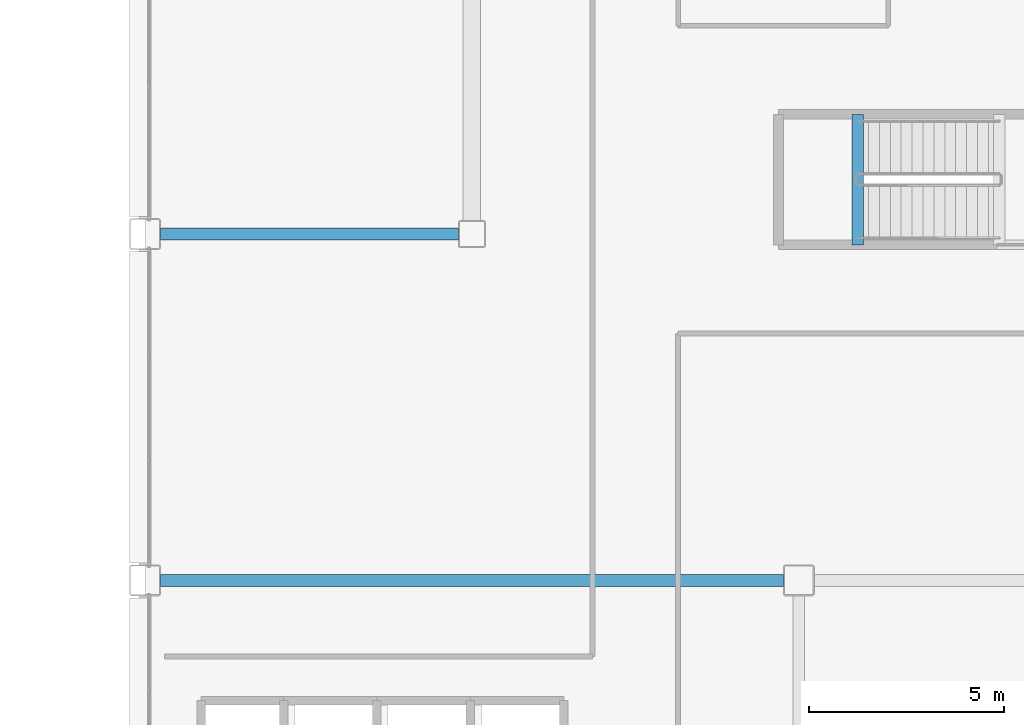
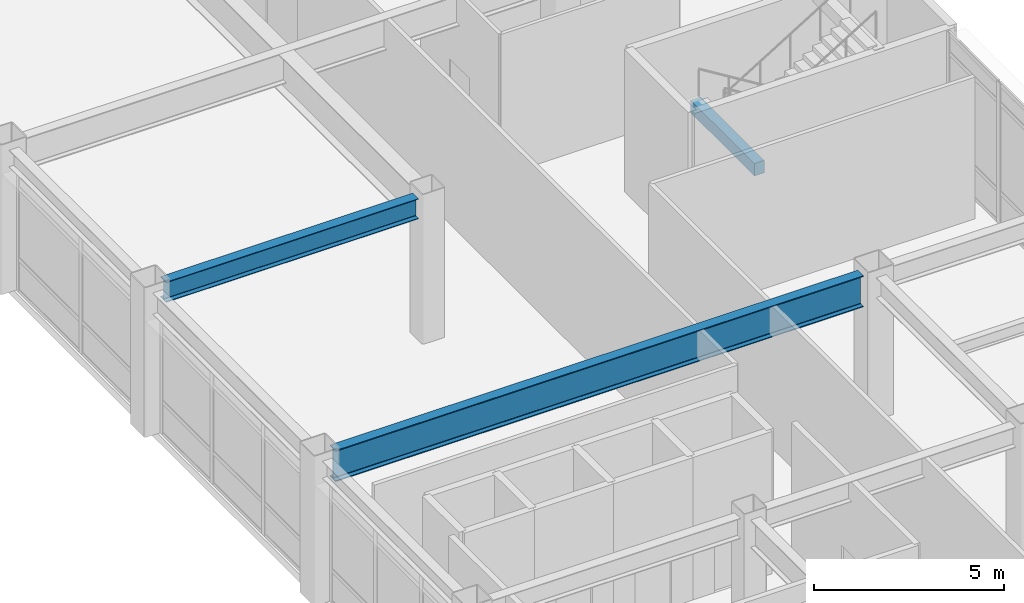
# One storey, part 100 of 154: 3 beams.
"""IFC4 building model written with IfcOpenShell, lengths in metres."""

import ifcopenshell
import ifcopenshell.guid

model = None  # the IFC model being written
_history = None  # IfcOwnerHistory: only IFC2X3 demands one
_inside = {}  # id of a spatial element -> (the spatial element, [elements in it])
_under = {}  # id of a project, library or spatial element -> (it, [spatial elements below it])
_declared = {}  # id of a project -> (the project, [libraries it declares])
_typed = {}  # id of a type object -> (the type object, [elements of that type])
_made_of = {}  # id of a material, layer set ... -> (it, [elements and type objects made of it])


def new_model(schema):
    """Start an empty IFC model of exactly this schema.

    Asked for "IFC4X3", IfcOpenShell would pick the latest addendum, in which some entities
    have other attributes; the version numbers below select the first issue.
    IFC2X3 requires an IfcOwnerHistory on every rooted entity: one is made here for all.
    """
    global model, _history
    if schema == "IFC4X3":
        model = ifcopenshell.file(schema_version=(4, 3, 0, 0))
    else:
        model = ifcopenshell.file(schema=schema)
    _inside.clear()
    _under.clear()
    _declared.clear()
    _typed.clear()
    _made_of.clear()
    _history = None
    if model.schema == "IFC2X3":
        org = make("IfcOrganization", Name="unknown")
        user = make(
            "IfcPersonAndOrganization",
            ThePerson=make("IfcPerson", FamilyName="unknown"),
            TheOrganization=org,
        )
        app = make(
            "IfcApplication",
            ApplicationDeveloper=org,
            Version="unknown",
            ApplicationFullName="unknown",
            ApplicationIdentifier="unknown",
        )
        _history = make(
            "IfcOwnerHistory",
            OwningUser=user,
            OwningApplication=app,
            ChangeAction="ADDED",
            CreationDate=0,
        )
    return model


def make(cls, **values):
    """One entity of the class cls with the attributes given. An attribute that is None is left unset."""
    return model.create_entity(
        cls, **{name: value for name, value in values.items() if value is not None}
    )


def rooted(cls, **values):
    """An entity with a GlobalId (a new one), such as an element, a storey or a relation."""
    return make(cls, GlobalId=ifcopenshell.guid.new(), OwnerHistory=_history, **values)


def si_unit(unit_type, name, prefix=None):
    """IfcSIUnit, for example si_unit("LENGTHUNIT", "METRE", prefix="MILLI")."""
    return make("IfcSIUnit", UnitType=unit_type, Prefix=prefix, Name=name)


def assignment(units):
    """IfcUnitAssignment: the units of a project."""
    return None if units is None else make("IfcUnitAssignment", Units=units)


def point(xyz):
    """IfcCartesianPoint."""
    return None if xyz is None else make("IfcCartesianPoint", Coordinates=xyz)


def direction(xyz):
    """IfcDirection."""
    return None if xyz is None else make("IfcDirection", DirectionRatios=xyz)


def frame(location, z_axis=None, x_axis=None):
    """IfcAxis2Placement3D, a coordinate frame: its origin and axes. An axis left out is left unset."""
    return make(
        "IfcAxis2Placement3D",
        Location=point(location),
        Axis=direction(z_axis),
        RefDirection=direction(x_axis),
    )


def frame_2d(location, x_axis=None):
    """IfcAxis2Placement2D, a coordinate frame in the plane: its origin and x axis."""
    return make(
        "IfcAxis2Placement2D", Location=point(location), RefDirection=direction(x_axis)
    )


def origin():
    """The frame at (0, 0, 0) with its axes left unset."""
    return frame((0.0, 0.0, 0.0))


def origin_2d():
    """The frame at (0, 0) in the plane with its x axis left unset."""
    return frame_2d((0.0, 0.0))


def place(relative_to, where):
    """IfcLocalPlacement: puts the frame where relative to a parent placement (None: the world)."""
    return make(
        "IfcLocalPlacement", PlacementRelTo=relative_to, RelativePlacement=where
    )


def context(
    kind, dimensions, precision=None, world=None, true_north=None, identifier=None
):
    """IfcGeometricRepresentationContext, for example the 3D "Model" context."""
    return make(
        "IfcGeometricRepresentationContext",
        ContextIdentifier=identifier,
        ContextType=kind,
        CoordinateSpaceDimension=dimensions,
        Precision=precision,
        WorldCoordinateSystem=world,
        TrueNorth=true_north,
    )


def subcontext(parent, identifier, kind, view, scale=None):
    """IfcGeometricRepresentationSubContext, for example "Body" below "Model"."""
    return make(
        "IfcGeometricRepresentationSubContext",
        ContextIdentifier=identifier,
        ContextType=kind,
        ParentContext=parent,
        TargetScale=scale,
        TargetView=view,
    )


def project(units=None, contexts=None):
    """IfcProject with its units and contexts."""
    return rooted(
        "IfcProject",
        Name="project",
        RepresentationContexts=contexts,
        UnitsInContext=assignment(units),
    )


def spatial(cls, under=None, at=None, **own):
    """A site, building, storey or space (cls), placed at a placement, below another one or the project."""
    s = rooted(cls, ObjectPlacement=at, **own)
    if under is not None:
        _under.setdefault(under.id(), (under, []))[1].append(s)
    return s


def profile(cls, at=None, kind="AREA", **sizes):
    """A parametric profile (cls). Its sizes go by their IFC names, for example OverallWidth=200.0."""
    return make(cls, ProfileType=kind, Position=at, **sizes)


def rectangle(**sizes):
    """IfcRectangleProfileDef."""
    return profile("IfcRectangleProfileDef", **sizes)


def i_section(**sizes):
    """IfcIShapeProfileDef."""
    return profile("IfcIShapeProfileDef", **sizes)


def extrude(swept, where, along, depth):
    """IfcExtrudedAreaSolid: the profile swept, set in the frame where, extruded along a direction by depth."""
    return make(
        "IfcExtrudedAreaSolid",
        SweptArea=swept,
        Position=where,
        ExtrudedDirection=direction(along),
        Depth=depth,
    )


def shape(context_of_items, identifier, shape_type, items):
    """IfcShapeRepresentation: the items that make up one representation, for example the "Body"."""
    return make(
        "IfcShapeRepresentation",
        ContextOfItems=context_of_items,
        RepresentationIdentifier=identifier,
        RepresentationType=shape_type,
        Items=items,
    )


def material(Name=None, Category=None):
    """IfcMaterial."""
    return make("IfcMaterial", Name=Name, Category=Category)


def material_profile(
    of_material, cross_section, Name=None, Category=None, Priority=None
):
    """IfcMaterialProfile: a cross section and its material."""
    return make(
        "IfcMaterialProfile",
        Name=Name,
        Material=of_material,
        Profile=cross_section,
        Priority=Priority,
        Category=Category,
    )


def profile_set(profiles, Name=None, composite=None):
    """IfcMaterialProfileSet."""
    return make(
        "IfcMaterialProfileSet",
        Name=Name,
        MaterialProfiles=profiles,
        CompositeProfile=composite,
    )


def made_of(thing, what):
    """Note that an element or type object is made of a material, layer set ...; save() writes the relation."""
    if what is not None:
        _made_of.setdefault(what.id(), (what, []))[1].append(thing)
    return thing


def type_object(cls, material=None, **own):
    """A type object (cls), such as IfcWallType, which elements share."""
    return made_of(rooted(cls, **own), material)


def element(
    cls,
    number,
    at=None,
    inside=None,
    cuts=None,
    type_object=None,
    material=None,
    context=None,
    identifier="Body",
    shape_type=None,
    held_by="IfcProductDefinitionShape",
    body=None,
    shapes=None,
    **own,
):
    """One element of the class cls, such as IfcWall. Its Tag is "e" and its number.

    at: its placement. inside: the storey or other place that contains it. cuts: it is an
    opening in that element (IfcRelVoidsElement). A single representation is given by context,
    identifier, shape_type and body (its items); several are given by shapes. held_by: the class
    of the entity that holds the representations. save() writes the other relations.
    """
    e = rooted(cls, Tag="e%d" % number, ObjectPlacement=at, **own)
    if body is not None:
        shapes = [shape(context, identifier, shape_type, body)]
    if shapes is not None:
        e.Representation = make(held_by, Representations=shapes)
    if inside is not None:
        _inside.setdefault(inside.id(), (inside, []))[1].append(e)
    if cuts is not None:
        rooted(
            "IfcRelVoidsElement", RelatingBuildingElement=cuts, RelatedOpeningElement=e
        )
    if type_object is not None:
        _typed.setdefault(type_object.id(), (type_object, []))[1].append(e)
    return made_of(e, material)


def aggregate(whole, parts):
    """IfcRelAggregates: a whole, such as a stair, and the parts it consists of."""
    return rooted("IfcRelAggregates", RelatingObject=whole, RelatedObjects=parts)


def save(model, path):
    """Write the relations noted so far, then the file.

    IfcRelAggregates (storeys below a building ...), IfcRelContainedInSpatialStructure (elements
    in a storey), IfcRelDefinesByType, IfcRelAssociatesMaterial and IfcRelDeclares: one each for
    every whole, place, type object, material and project.
    """
    for whole, parts in _under.values():
        aggregate(whole, parts)
    for where, things in _inside.values():
        rooted(
            "IfcRelContainedInSpatialStructure",
            RelatedElements=things,
            RelatingStructure=where,
        )
    for kind, things in _typed.values():
        rooted("IfcRelDefinesByType", RelatedObjects=things, RelatingType=kind)
    for what, things in _made_of.values():
        rooted("IfcRelAssociatesMaterial", RelatedObjects=things, RelatingMaterial=what)
    for by, libraries in _declared.values():
        rooted("IfcRelDeclares", RelatingContext=by, RelatedDefinitions=libraries)
    model.write(path)


model = new_model("IFC4")

# Units and contexts
model_context = context("Model", 3, precision=1e-05, world=origin(), true_north=direction((0.0, 1.0)))
body_context = subcontext(model_context, "Body", "Model", "MODEL_VIEW")
ifc_project = project(units=[si_unit("LENGTHUNIT", "METRE"), si_unit("AREAUNIT", "SQUARE_METRE"), si_unit("VOLUMEUNIT", "CUBIC_METRE"), si_unit("PLANEANGLEUNIT", "RADIAN"), si_unit("MASSUNIT", "GRAM", prefix="KILO")], contexts=[model_context])

# Site, building, storey
site_placement = place(None, origin())
site = spatial("IfcSite", under=ifc_project, at=site_placement, CompositionType="ELEMENT")
building_placement = place(site_placement, origin())
building = spatial("IfcBuilding", under=site, at=building_placement, Name="Kazehara Bluff Congress Hotel", CompositionType="ELEMENT")
storey_placement = place(building_placement, frame((0.0, 0.0, 10.199951171875)))
storey = spatial("IfcBuildingStorey", under=building, at=storey_placement, Name="L02", CompositionType="ELEMENT", Elevation=10.199951171875)

# Beams
ifc_material_1 = material(Name="Steel SN490B", Category="steel")
ifc_material_profile_1 = material_profile(ifc_material_1, i_section(OverallWidth=0.300048828125, OverallDepth=0.64990234375, WebThickness=0.011962890625, FlangeThickness=0.02001953125, FilletRadius=0.012939453125, at=origin_2d()))
ifc_profile_set_1 = profile_set([ifc_material_profile_1], Name="Steel SN490B")
beam_type_1 = type_object("IfcBeamType", Name="TP-G-03", PredefinedType="BEAM", material=ifc_profile_set_1)
beam_1_placement = place(storey_placement, frame((144.10009765625, 73.35009765625, 4.235107421875), z_axis=(1.0, 0.0, 0.0), x_axis=(0.0, 1.0, 0.0)))
element("IfcBeam", 1, at=beam_1_placement, inside=storey, type_object=beam_type_1, Name="L02 girder G-03 214", PredefinedType="BEAM", context=body_context, shape_type="SweptSolid", body=[
    extrude(i_section(OverallWidth=0.300048828125, OverallDepth=0.64990234375, WebThickness=0.011962890625, FlangeThickness=0.02001953125, FilletRadius=0.012939453125, at=origin_2d()), origin(), (0.0, 0.0, 1.0), 7.64990234375),
])
ifc_material_2 = material(Name="Steel SN490B", Category="steel")
ifc_material_profile_2 = material_profile(ifc_material_2, i_section(OverallWidth=0.300048828125, OverallDepth=1.0, WebThickness=0.01611328125, FlangeThickness=0.028076171875, FilletRadius=0.02197265625, at=origin_2d()))
ifc_profile_set_2 = profile_set([ifc_material_profile_2], Name="Steel SN490B")
beam_type_2 = type_object("IfcBeamType", Name="TP-G-09", PredefinedType="BEAM", material=ifc_profile_set_2)
beam_2_placement = place(storey_placement, frame((144.10009765625, 64.449951171875, 4.06005859375), z_axis=(1.0, 0.0, 0.0), x_axis=(0.0, 1.0, 0.0)))
element("IfcBeam", 2, at=beam_2_placement, inside=storey, type_object=beam_type_2, Name="L02 girder G-09 212", PredefinedType="BEAM", context=body_context, shape_type="SweptSolid", body=[
    extrude(i_section(OverallWidth=0.300048828125, OverallDepth=1.0, WebThickness=0.01611328125, FlangeThickness=0.028076171875, FilletRadius=0.02197265625, at=origin_2d()), origin(), (0.0, 0.0, 1.0), 16.0),
])
ifc_material_3 = material(Name="Concrete C40/50", Category="concrete")
ifc_material_profile_3 = material_profile(ifc_material_3, rectangle(XDim=0.300048828125, YDim=0.39990234375, at=origin_2d()))
ifc_profile_set_3 = profile_set([ifc_material_profile_3], Name="Concrete C40/50")
beam_type_3 = type_object("IfcBeamType", Name="TP-LN-02", PredefinedType="LINTEL", material=ifc_profile_set_3)
beam_3_placement = place(storey_placement, frame((162.010009765625, 76.425048828125, 2.02001953125), z_axis=(0.0, -1.0, 0.0), x_axis=(1.0, 0.0, 0.0)))
element("IfcBeam", 3, at=beam_3_placement, inside=storey, type_object=beam_type_3, Name="L02 ST-12 half-landing support beam 1", PredefinedType="LINTEL", context=body_context, shape_type="SweptSolid", body=[
    extrude(rectangle(XDim=0.300048828125, YDim=0.39990234375, at=origin_2d()), origin(), (0.0, 0.0, 1.0), 3.35009765625),
])

save(model, "model.ifc")
